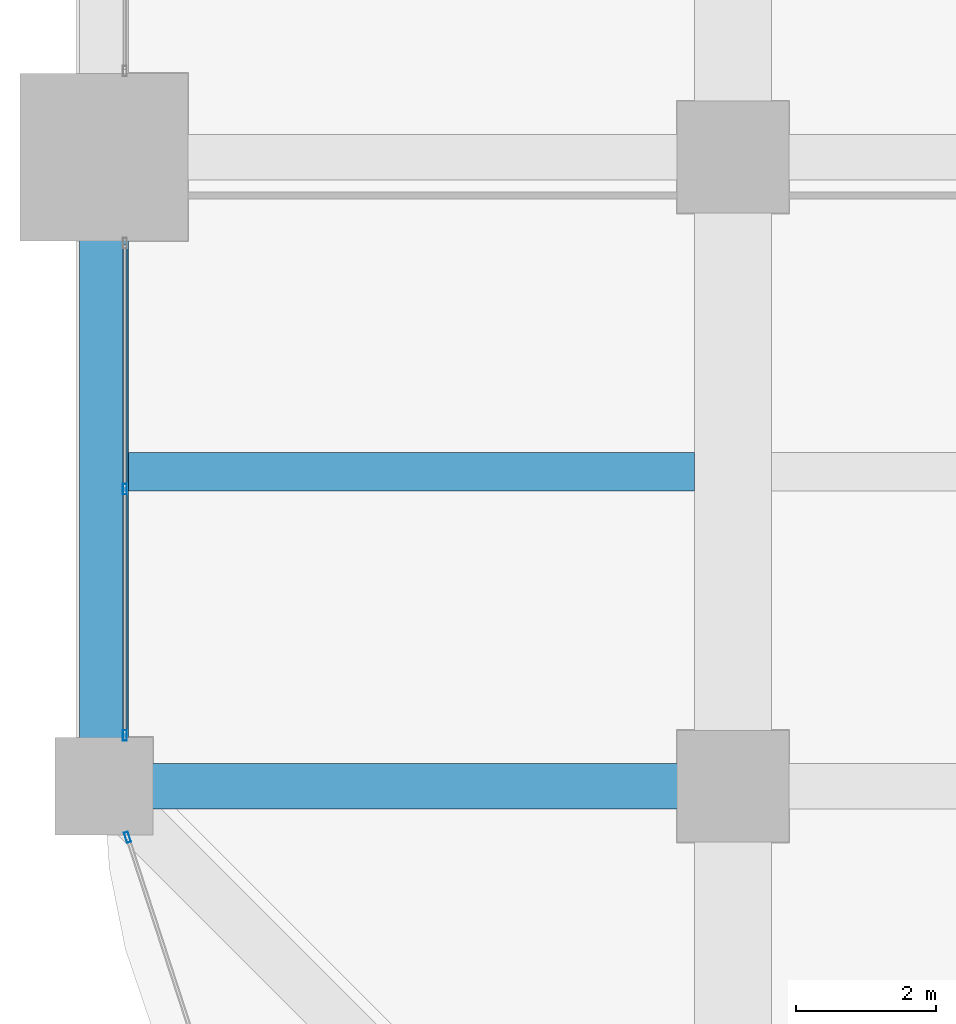
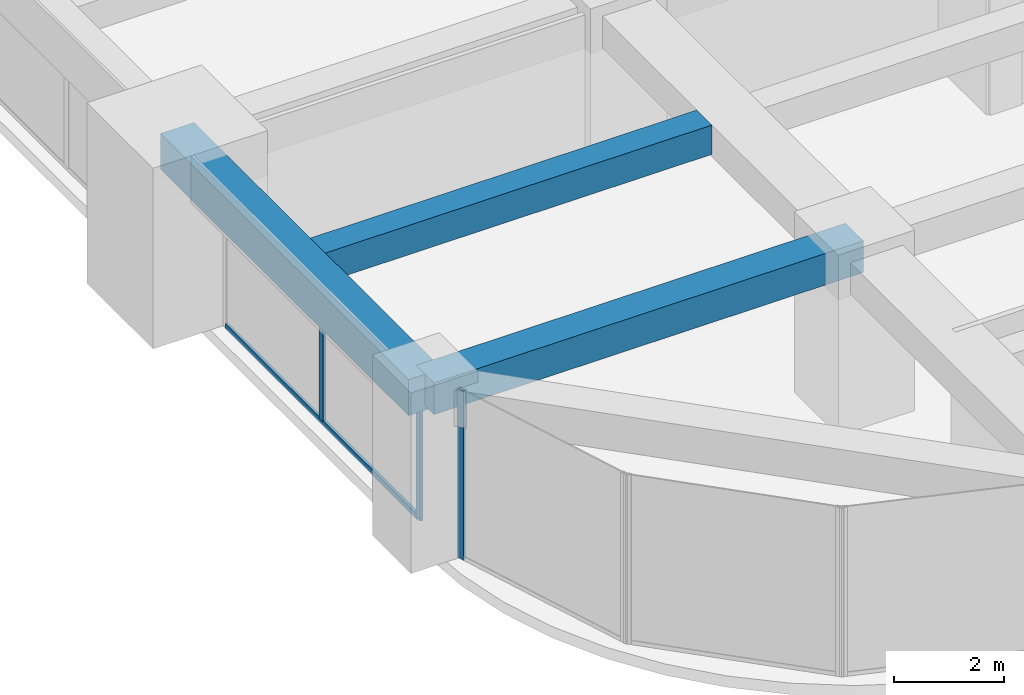
# One storey, part 4 of 33: 4 members, 3 beams, 2 elements without a shape of their own.
"""IFC4 building model written with IfcOpenShell, lengths in metres."""

from ifc_helpers import new_model, si_unit, direction, frame, origin, origin_2d, place, context, subcontext, project, spatial, rectangle, hollow_rectangle, extrude, material, material_profile, profile_set, type_object, element, aggregate, save


model = new_model("IFC4")

# Units and contexts
model_context = context("Model", 3, precision=1e-05, world=origin(), true_north=direction((0.0, 1.0)))
body_context = subcontext(model_context, "Body", "Model", "MODEL_VIEW")
ifc_project = project(units=[si_unit("LENGTHUNIT", "METRE"), si_unit("AREAUNIT", "SQUARE_METRE"), si_unit("VOLUMEUNIT", "CUBIC_METRE"), si_unit("PLANEANGLEUNIT", "RADIAN"), si_unit("MASSUNIT", "GRAM", prefix="KILO")], contexts=[model_context])

# Site, building, storey
site_placement = place(None, origin())
site = spatial("IfcSite", under=ifc_project, at=site_placement, CompositionType="ELEMENT")
building_placement = place(site_placement, origin())
building = spatial("IfcBuilding", under=site, at=building_placement, Name="Zorevar Civic Tower", CompositionType="ELEMENT")
storey_placement = place(building_placement, frame((0.0, 0.0, 178.199951171875)))
storey = spatial("IfcBuildingStorey", under=building, at=storey_placement, Name="L43", CompositionType="ELEMENT", Elevation=178.199951171875)

# Beams
ifc_material_1 = material(Name="Concrete C50/60", Category="concrete")
ifc_material_profile_1 = material_profile(ifc_material_1, rectangle(XDim=0.550048828125, YDim=0.64990234375, at=origin_2d()), Name="RC 550x650")
ifc_profile_set_1 = profile_set([ifc_material_profile_1], Name="Concrete C50/60")
beam_type_1 = type_object("IfcBeamType", Name="Beam RC 550x650", PredefinedType="BEAM", material=ifc_profile_set_1)
beam_1_placement = place(storey_placement, frame((0.35009765625, 13.5, 3.425048828125), z_axis=(1.0, 0.0, 0.0), x_axis=(0.0, 1.0, 0.0)))
element("IfcBeam", 1, at=beam_1_placement, inside=storey, type_object=beam_type_1, Name="Secondary beam L44", PredefinedType="BEAM", context=body_context, shape_type="SweptSolid", body=[
    extrude(rectangle(XDim=0.550048828125, YDim=0.64990234375, at=origin_2d()), origin(), (0.0, 0.0, 1.0), 8.099853515625),
])
ifc_material_2 = material(Name="Concrete C50/60", Category="concrete")
ifc_material_profile_2 = material_profile(ifc_material_2, rectangle(XDim=0.64990234375, YDim=0.699951171875, at=origin_2d()), Name="RC 650x700")
ifc_profile_set_2 = profile_set([ifc_material_profile_2], Name="Concrete C50/60")
beam_type_2 = type_object("IfcBeamType", Name="Beam RC 650x700", PredefinedType="BEAM", material=ifc_profile_set_2)
beam_2_placement = place(storey_placement, frame((0.0, 9.0, 3.400146484375), z_axis=(1.0, 0.0, 0.0), x_axis=(0.0, 1.0, 0.0)))
element("IfcBeam", 2, at=beam_2_placement, inside=storey, type_object=beam_type_2, Name="Girder L44", PredefinedType="BEAM", context=body_context, shape_type="SweptSolid", body=[
    extrude(rectangle(XDim=0.64990234375, YDim=0.699951171875, at=origin_2d()), origin(), (0.0, 0.0, 1.0), 9.0),
])

# Curtain wall, members
ifc_material_3 = material(Name="Dark grey solar-control glass in black aluminium frame", Category="aluminium")
curtain_wall_type = type_object("IfcCurtainWallType", Name="Curtain wall CW4 high zone", PredefinedType="NOTDEFINED", material=ifc_material_3)
curtain_wall_1_placement = place(storey_placement, origin())
curtain_wall_1 = element("IfcCurtainWall", 3, at=curtain_wall_1_placement, inside=storey, type_object=curtain_wall_type, Name="CW4 L43", PredefinedType="NOTDEFINED")
ifc_material_4 = material(Name="Aluminium, black anodised", Category="aluminium")
ifc_material_profile_3 = material_profile(ifc_material_4, hollow_rectangle(XDim=0.06005859375, YDim=0.14990234375, WallThickness=0.00390625, at=origin_2d()), Name="AL 150x60x4")
ifc_profile_set_3 = profile_set([ifc_material_profile_3], Name="Aluminium, black anodised")
member_type_1 = type_object("IfcMemberType", Name="CW4 mullion AL 150x60x4", PredefinedType="MULLION", material=ifc_profile_set_3)
member_1_placement = place(storey_placement, frame((0.300048828125, 9.72998046875, 0.0), z_axis=(0.0, 0.0, 1.0), x_axis=(-1.0, 0.0, 0.0)))
member_1 = element("IfcMember", 4, at=member_1_placement, type_object=member_type_1, Name="CW4 mullion 1", PredefinedType="MULLION", context=body_context, shape_type="SweptSolid", body=[
    extrude(hollow_rectangle(XDim=0.06005859375, YDim=0.14990234375, WallThickness=0.00390625, at=origin_2d()), origin(), (0.0, 0.0, 1.0), 2.949951171875),
])
member_2_placement = place(storey_placement, frame((0.300048828125, 13.25, 0.06005859375), z_axis=(0.0, 0.0, 1.0), x_axis=(-1.0, 0.0, 0.0)))
member_2 = element("IfcMember", 5, at=member_2_placement, type_object=member_type_1, Name="CW4 mullion 2", PredefinedType="MULLION", context=body_context, shape_type="SweptSolid", body=[
    extrude(hollow_rectangle(XDim=0.06005859375, YDim=0.14990234375, WallThickness=0.00390625, at=origin_2d()), origin(), (0.0, 0.0, 1.0), 2.889892578125),
])

# Curtain wall, member
curtain_wall_2_placement = place(storey_placement, origin())
curtain_wall_2 = element("IfcCurtainWall", 6, at=curtain_wall_2_placement, inside=storey, type_object=curtain_wall_type, Name="CW4 L43", PredefinedType="NOTDEFINED")
member_3_placement = place(storey_placement, frame((0.337646484375, 8.271484375, 0.0), z_axis=(0.0, 0.0, 1.0), x_axis=(0.950644749916, 0.310281419775, 0.0)))
member_3 = element("IfcMember", 7, at=member_3_placement, type_object=member_type_1, Name="CW4 mullion 1", PredefinedType="MULLION", context=body_context, shape_type="SweptSolid", body=[
    extrude(hollow_rectangle(XDim=0.06005859375, YDim=0.14990234375, WallThickness=0.00390625, at=origin_2d()), origin(), (0.0, 0.0, 1.0), 3.75),
])
aggregate(curtain_wall_2, [member_3])

# Member
ifc_material_5 = material(Name="Aluminium, black anodised", Category="aluminium")
ifc_material_profile_4 = material_profile(ifc_material_5, hollow_rectangle(XDim=0.06005859375, YDim=0.1201171875, WallThickness=0.0029296875, at=origin_2d()), Name="AL 120x60x3")
ifc_profile_set_4 = profile_set([ifc_material_profile_4], Name="Aluminium, black anodised")
member_type_2 = type_object("IfcMemberType", Name="CW4 transom AL 120x60x3", PredefinedType="USERDEFINED", material=ifc_profile_set_4)
member_4_placement = place(storey_placement, frame((0.300048828125, 9.760009765625, 0.030029296875), z_axis=(0.0, 1.0, 0.0), x_axis=(-1.0, 0.0, 0.0)))
member_4 = element("IfcMember", 8, at=member_4_placement, type_object=member_type_2, Name="CW4 sill transom", ObjectType="TRANSOM", PredefinedType="USERDEFINED", context=body_context, shape_type="SweptSolid", body=[
    extrude(hollow_rectangle(XDim=0.06005859375, YDim=0.1201171875, WallThickness=0.0029296875, at=origin_2d()), origin(), (0.0, 0.0, 1.0), 6.97998046875),
])

aggregate(curtain_wall_1, [member_1, member_2, member_4])

# Beam
ifc_material_6 = material(Name="Concrete C50/60", Category="concrete")
ifc_material_profile_5 = material_profile(ifc_material_6, rectangle(XDim=0.699951171875, YDim=0.800048828125, at=origin_2d()), Name="RC 700x800")
ifc_profile_set_5 = profile_set([ifc_material_profile_5], Name="Concrete C50/60")
beam_type_3 = type_object("IfcBeamType", Name="Edge beam RC 700x800", PredefinedType="SPANDREL", material=ifc_profile_set_5)
beam_3_placement = place(storey_placement, frame((0.0, 9.0, 3.35009765625), z_axis=(0.0, 1.0, 0.0), x_axis=(-1.0, 0.0, 0.0)))
element("IfcBeam", 9, at=beam_3_placement, inside=storey, type_object=beam_type_3, Name="Edge beam L44", PredefinedType="SPANDREL", context=body_context, shape_type="SweptSolid", body=[
    extrude(rectangle(XDim=0.699951171875, YDim=0.800048828125, at=origin_2d()), origin(), (0.0, 0.0, 1.0), 9.0),
])

save(model, "model.ifc")
